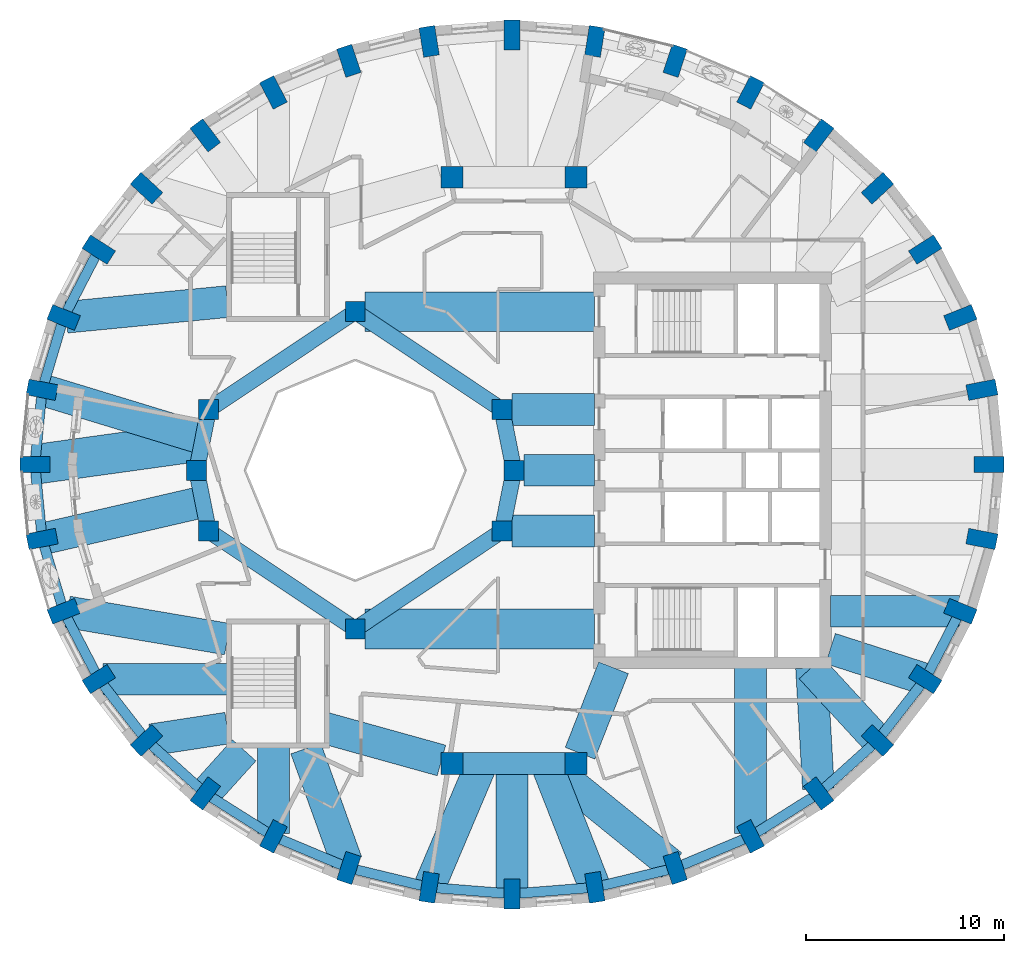
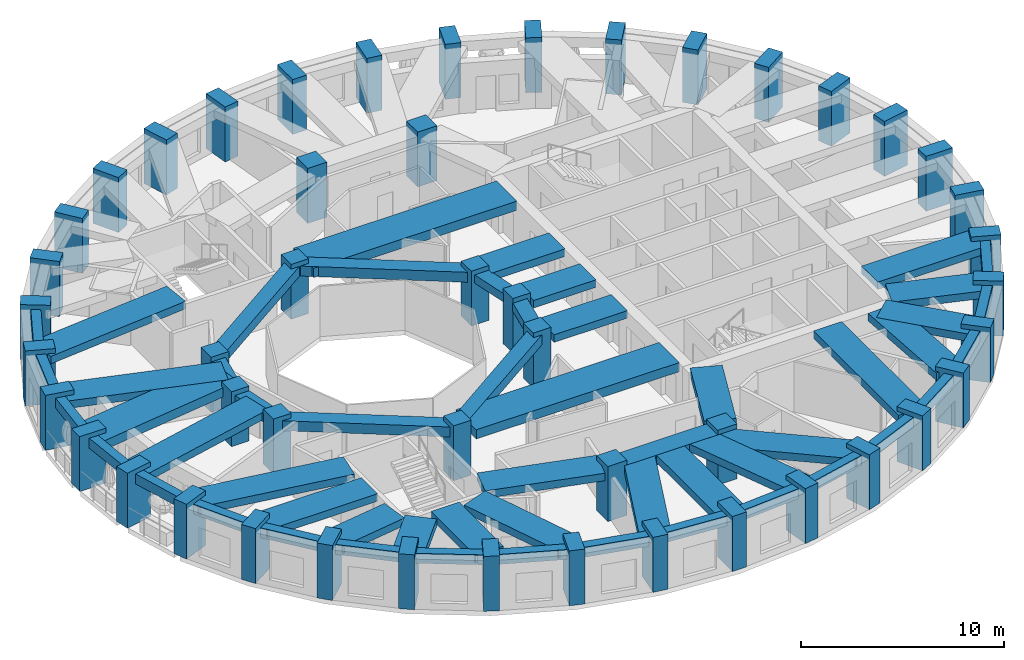
# One storey, part 1 of 12: 54 beams, 48 columns.
"""IFC4 building model written with IfcOpenShell, lengths in metres."""

from ifc_helpers import new_model, si_unit, direction, frame, origin, origin_2d, place, context, subcontext, project, spatial, rectangle, extrude, material, material_profile, profile_set, type_object, element, save


model = new_model("IFC4")

# Units and contexts
model_context = context("Model", 3, precision=1e-05, world=origin(), true_north=direction((0.0, 1.0)))
body_context = subcontext(model_context, "Body", "Model", "MODEL_VIEW")
ifc_project = project(units=[si_unit("LENGTHUNIT", "METRE"), si_unit("AREAUNIT", "SQUARE_METRE"), si_unit("VOLUMEUNIT", "CUBIC_METRE"), si_unit("PLANEANGLEUNIT", "RADIAN"), si_unit("MASSUNIT", "GRAM", prefix="KILO")], contexts=[model_context])

# Site, building, storey
site_placement = place(None, origin())
site = spatial("IfcSite", under=ifc_project, at=site_placement, CompositionType="ELEMENT")
building_placement = place(site_placement, origin())
building = spatial("IfcBuilding", under=site, at=building_placement, Name="Taillehof Tower", CompositionType="ELEMENT")
storey_placement = place(building_placement, frame((0.0, 0.0, 239.89990234375)))
storey = spatial("IfcBuildingStorey", under=building, at=storey_placement, Name="L68", CompositionType="ELEMENT", Elevation=239.89990234375)

# Columns
ifc_material_1 = material(Name="Concrete C50/60", Category="concrete")
ifc_material_profile_1 = material_profile(ifc_material_1, rectangle(XDim=1.0, YDim=1.0, at=origin_2d()), Name="RC 1000x1000")
ifc_profile_set_1 = profile_set([ifc_material_profile_1], Name="Concrete C50/60")
column_type_1 = type_object("IfcColumnType", Name="Atrium ring column C50/60 1000x1000", PredefinedType="COLUMN", material=ifc_profile_set_1)
for number, where, z_axis, x_axis, name in (
    (1, (0.0, 0.0, 0.0), (0.0, 0.0, 1.0), (1.0, 0.0, 0.0), "Column AC01"),
    (2, (-0.60888671875, 3.0615234375, 0.0), (0.0, 0.0, 1.0), (1.0, 0.0, 0.0), "Column AC02"),
    (3, (-8.0, 8.0, 0.0), (0.0, 0.0, 1.0), (1.0, 0.0, 0.0), "Column AC05"),
    (4, (-15.39111328125, 3.0615234375, 0.0), (0.0, 0.0, 1.0), (1.0, 0.0, 0.0), "Column AC08"),
    (5, (-16.0, 0.0, 0.0), (0.0, 0.0, 1.0), (1.0, 0.0, 0.0), "Column AC09"),
    (6, (-15.39111328125, -3.0615234375, 0.0), (0.0, 0.0, 1.0), (1.0, 0.0, 0.0), "Column AC10"),
    (7, (-8.0, -8.0, 0.0), (0.0, 0.0, 1.0), (1.0, 0.0, 0.0), "Column AC13"),
    (8, (-0.60888671875, -3.0615234375, 0.0), (0.0, 0.0, 1.0), (1.0, 0.0, 0.0), "Column AC16"),
):
    element("IfcColumn", number, at=place(storey_placement, frame(where, z_axis=z_axis, x_axis=x_axis)), inside=storey, type_object=column_type_1, Name=name, PredefinedType="COLUMN", context=body_context, shape_type="SweptSolid", body=[
        extrude(rectangle(XDim=1.0, YDim=1.0, at=origin_2d()), origin(), (0.0, 0.0, 1.0), 3.300048828125),
    ])
ifc_material_2 = material(Name="Concrete C50/60", Category="concrete")
ifc_material_profile_2 = material_profile(ifc_material_2, rectangle(XDim=1.10009765625, YDim=1.10009765625, at=origin_2d()), Name="RC 1100x1100")
ifc_profile_set_2 = profile_set([ifc_material_profile_2], Name="Concrete C50/60")
column_type_2 = type_object("IfcColumnType", Name="Mid-ring column C50/60 1100x1100", PredefinedType="COLUMN", material=ifc_profile_set_2)
for number, where, z_axis, x_axis, name in (
    (9, (3.125732421875, 14.772216796875, 0.0), (0.0, 0.0, 1.0), (1.0, 0.0, 0.0), "Column MC05"),
    (10, (-3.125732421875, 14.772216796875, 0.0), (0.0, 0.0, 1.0), (1.0, 0.0, 0.0), "Column MC06"),
    (11, (-3.125732421875, -14.772216796875, 0.0), (0.0, 0.0, 1.0), (1.0, 0.0, 0.0), "Column MC14"),
    (12, (3.125732421875, -14.772216796875, 0.0), (0.0, 0.0, 1.0), (1.0, 0.0, 0.0), "Column MC15"),
):
    element("IfcColumn", number, at=place(storey_placement, frame(where, z_axis=z_axis, x_axis=x_axis)), inside=storey, type_object=column_type_2, Name=name, PredefinedType="COLUMN", context=body_context, shape_type="SweptSolid", body=[
        extrude(rectangle(XDim=1.10009765625, YDim=1.10009765625, at=origin_2d()), origin(), (0.0, 0.0, 1.0), 3.300048828125),
    ])
ifc_material_3 = material(Name="Concrete C50/60", Category="concrete")
ifc_material_profile_3 = material_profile(ifc_material_3, rectangle(XDim=1.5, YDim=0.800048828125, at=origin_2d()), Name="RC 1500x800")
ifc_profile_set_3 = profile_set([ifc_material_profile_3], Name="Concrete C50/60")
column_type_3 = type_object("IfcColumnType", Name="Ring column C50/60 1500x800", PredefinedType="COLUMN", material=ifc_profile_set_3)
for number, where, z_axis, x_axis, name in (
    (13, (23.949951171875, 0.300048828125, 0.0), (0.0, 0.0, 1.0), (1.0, 0.0, 0.0), "Ring column RC01"),
    (14, (23.584716796875, 4.0595703125, 0.0), (0.0, 0.0, 1.0), (0.981472639166, 0.191602344891, 0.0), "Ring column RC02"),
    (15, (22.49951171875, 7.704833984375, 0.0), (0.0, 0.0, 1.0), (0.927524694272, 0.373761878092, 0.0), "Ring column RC03"),
    (16, (20.72802734375, 11.125, 0.0), (0.0, 0.0, 1.0), (0.842573772535, 0.538580948267, 0.0), "Ring column RC04"),
    (17, (18.323486328125, 14.21630859375, 0.0), (0.0, 0.0, 1.0), (0.73263579998, 0.680620881686, 0.0), "Ring column RC05"),
    (18, (15.359130859375, 16.884765625, 0.0), (0.0, 0.0, 1.0), (0.604020073066, 0.796969103123, 0.0), "Ring column RC06"),
    (19, (11.925048828125, 19.049560546875, 0.0), (0.0, 0.0, 1.0), (0.462383690865, 0.886679943622, 0.0), "Ring column RC07"),
    (20, (8.12548828125, 20.644287109375, 0.0), (0.0, 0.0, 1.0), (0.312304079287, 0.949982190391, 0.0), "Ring column RC08"),
    (21, (4.076171875, 21.62109375, 0.0), (0.0, 0.0, 1.0), (0.1572808136, 0.987553920388, 0.0), "Ring column RC09"),
    (22, (-0.10009765625, 21.949951171875, 0.0), (0.0, 0.0, 1.0), (0.0, 1.0, 0.0), "Ring column RC10"),
    (23, (-4.276123046875, 21.62109375, 0.0), (0.0, 0.0, 1.0), (-0.1572808136, 0.987553920388, 0.0), "Ring column RC11"),
    (24, (-8.32568359375, 20.644287109375, 0.0), (0.0, 0.0, 1.0), (-0.312304079287, 0.949982190391, 0.0), "Ring column RC12"),
    (25, (-12.125, 19.049560546875, 0.0), (0.0, 0.0, 1.0), (-0.462383690865, 0.886679943622, 0.0), "Ring column RC13"),
    (26, (-15.55908203125, 16.884765625, 0.0), (0.0, 0.0, 1.0), (-0.604020073066, 0.796969103123, 0.0), "Ring column RC14"),
    (27, (-18.5234375, 14.21630859375, 0.0), (0.0, 0.0, 1.0), (-0.73263579998, 0.680620881686, 0.0), "Ring column RC15"),
    (28, (-20.927978515625, 11.125, 0.0), (0.0, 0.0, 1.0), (-0.842573772535, 0.538580948267, 0.0), "Ring column RC16"),
    (29, (-22.69970703125, 7.704833984375, 0.0), (0.0, 0.0, 1.0), (-0.927524694272, 0.373761878092, 0.0), "Ring column RC17"),
    (30, (-23.78466796875, 4.0595703125, 0.0), (0.0, 0.0, 1.0), (-0.981472639166, 0.191602344891, 0.0), "Ring column RC18"),
    (31, (-24.14990234375, 0.300048828125, 0.0), (0.0, 0.0, 1.0), (-1.0, 0.0, 0.0), "Ring column RC19"),
    (32, (-23.78466796875, -3.45947265625, 0.0), (0.0, 0.0, 1.0), (-0.981472639166, -0.191602344891, 0.0), "Ring column RC20"),
    (33, (-22.69970703125, -7.104736328125, 0.0), (0.0, 0.0, 1.0), (-0.927524694272, -0.373761878092, 0.0), "Ring column RC21"),
    (34, (-20.927978515625, -10.52490234375, 0.0), (0.0, 0.0, 1.0), (-0.842573772535, -0.538580948267, 0.0), "Ring column RC22"),
    (35, (-18.5234375, -13.616455078125, 0.0), (0.0, 0.0, 1.0), (-0.73263579998, -0.680620881686, 0.0), "Ring column RC23"),
    (36, (-15.55908203125, -16.284912109375, 0.0), (0.0, 0.0, 1.0), (-0.604020073066, -0.796969103123, 0.0), "Ring column RC24"),
    (37, (-12.125, -18.449462890625, 0.0), (0.0, 0.0, 1.0), (-0.462383690865, -0.886679943622, 0.0), "Ring column RC25"),
    (38, (-8.32568359375, -20.04443359375, 0.0), (0.0, 0.0, 1.0), (-0.312304079287, -0.949982190391, 0.0), "Ring column RC26"),
    (39, (-4.276123046875, -21.02099609375, 0.0), (0.0, 0.0, 1.0), (-0.1572808136, -0.987553920388, 0.0), "Ring column RC27"),
    (40, (-0.10009765625, -21.35009765625, 0.0), (0.0, 0.0, 1.0), (0.0, -1.0, 0.0), "Ring column RC28"),
    (41, (4.076171875, -21.02099609375, 0.0), (0.0, 0.0, 1.0), (0.1572808136, -0.987553920388, 0.0), "Ring column RC29"),
    (42, (8.12548828125, -20.04443359375, 0.0), (0.0, 0.0, 1.0), (0.312304079287, -0.949982190391, 0.0), "Ring column RC30"),
    (43, (11.925048828125, -18.449462890625, 0.0), (0.0, 0.0, 1.0), (0.462383690865, -0.886679943622, 0.0), "Ring column RC31"),
    (44, (15.359130859375, -16.284912109375, 0.0), (0.0, 0.0, 1.0), (0.604020073066, -0.796969103123, 0.0), "Ring column RC32"),
    (45, (18.323486328125, -13.616455078125, 0.0), (0.0, 0.0, 1.0), (0.73263579998, -0.680620881686, 0.0), "Ring column RC33"),
    (46, (20.72802734375, -10.52490234375, 0.0), (0.0, 0.0, 1.0), (0.842573772535, -0.538580948267, 0.0), "Ring column RC34"),
    (47, (22.49951171875, -7.104736328125, 0.0), (0.0, 0.0, 1.0), (0.927524694272, -0.373761878092, 0.0), "Ring column RC35"),
    (48, (23.584716796875, -3.45947265625, 0.0), (0.0, 0.0, 1.0), (0.981472639166, -0.191602344891, 0.0), "Ring column RC36"),
):
    element("IfcColumn", number, at=place(storey_placement, frame(where, z_axis=z_axis, x_axis=x_axis)), inside=storey, type_object=column_type_3, Name=name, PredefinedType="COLUMN", context=body_context, shape_type="SweptSolid", body=[
        extrude(rectangle(XDim=1.5, YDim=0.800048828125, at=origin_2d()), origin(), (0.0, 0.0, 1.0), 3.300048828125),
    ])

# Beams
ifc_material_4 = material(Name="Concrete C50/60", Category="concrete")
ifc_material_profile_4 = material_profile(ifc_material_4, rectangle(XDim=0.800048828125, YDim=0.5, at=origin_2d()), Name="RC 800x500")
ifc_profile_set_4 = profile_set([ifc_material_profile_4], Name="Concrete C50/60")
beam_type_1 = type_object("IfcBeamType", Name="Atrium ring beam C50/60 800x500", PredefinedType="BEAM", material=ifc_profile_set_4)
for number, where, z_axis, x_axis, name in (
    (49, (0.0, 0.0, 2.77001953125), (-0.195063155143, 0.980790683839, 0.0), (-0.980790683839, -0.195063155143, 0.0), "Atrium ring beam AB01"),
    (50, (-15.39111328125, 3.0615234375, 2.77001953125), (-0.195063155143, -0.980790683839, 0.0), (0.980790683839, -0.195063155143, 0.0), "Atrium ring beam AB04"),
    (51, (-16.0, 0.0, 2.77001953125), (0.195063155143, -0.980790683839, 0.0), (0.980790683839, 0.195063155143, 0.0), "Atrium ring beam AB05"),
    (52, (-0.60888671875, -3.0615234375, 2.77001953125), (0.195063155143, 0.980790683839, 0.0), (-0.980790683839, 0.195063155143, 0.0), "Atrium ring beam AB08"),
):
    element("IfcBeam", number, at=place(storey_placement, frame(where, z_axis=z_axis, x_axis=x_axis)), inside=storey, type_object=beam_type_1, Name=name, PredefinedType="BEAM", context=body_context, shape_type="SweptSolid", body=[
        extrude(rectangle(XDim=0.800048828125, YDim=0.5, at=origin_2d()), origin(), (0.0, 0.0, 1.0), 3.12158203125),
    ])
ifc_material_5 = material(Name="Concrete C50/60", Category="concrete")
ifc_material_profile_5 = material_profile(ifc_material_5, rectangle(XDim=0.800048828125, YDim=0.60009765625, at=origin_2d()), Name="RC 800x600")
ifc_profile_set_5 = profile_set([ifc_material_profile_5], Name="Concrete C50/60")
beam_type_2 = type_object("IfcBeamType", Name="Atrium ring beam C50/60 800x600", PredefinedType="BEAM", material=ifc_profile_set_5)
for number, where, z_axis, x_axis, name in (
    (53, (-0.60888671875, 3.0615234375, 2.72021484375), (-0.831475195687, 0.555561876804, 0.0), (-0.555561876804, -0.831475195687, 0.0), "Atrium ring beam AB02"),
    (54, (-8.0, 8.0, 2.72021484375), (-0.831475195687, -0.555561876804, 0.0), (0.555561876804, -0.831475195687, 0.0), "Atrium ring beam AB03"),
    (55, (-15.39111328125, -3.0615234375, 2.72021484375), (0.831475195687, -0.555561876804, 0.0), (0.555561876804, 0.831475195687, 0.0), "Atrium ring beam AB06"),
    (56, (-8.0, -8.0, 2.72021484375), (0.831475195687, 0.555561876804, 0.0), (-0.555561876804, 0.831475195687, 0.0), "Atrium ring beam AB07"),
):
    element("IfcBeam", number, at=place(storey_placement, frame(where, z_axis=z_axis, x_axis=x_axis)), inside=storey, type_object=beam_type_2, Name=name, PredefinedType="BEAM", context=body_context, shape_type="SweptSolid", body=[
        extrude(rectangle(XDim=0.800048828125, YDim=0.60009765625, at=origin_2d()), origin(), (0.0, 0.0, 1.0), 8.88916015625),
    ])
ifc_material_6 = material(Name="Concrete C50/60", Category="concrete")
ifc_material_profile_6 = material_profile(ifc_material_6, rectangle(XDim=1.10009765625, YDim=0.60009765625, at=origin_2d()), Name="RC 1100x600")
ifc_profile_set_6 = profile_set([ifc_material_profile_6], Name="Concrete C50/60")
beam_type_3 = type_object("IfcBeamType", Name="Mid-ring beam C50/60 1100x600", PredefinedType="BEAM", material=ifc_profile_set_6)
beam_1_placement = place(storey_placement, frame((-3.125732421875, -14.772216796875, 2.72021484375), z_axis=(1.0, 0.0, 0.0), x_axis=(0.0, 1.0, 0.0)))
element("IfcBeam", 57, at=beam_1_placement, inside=storey, type_object=beam_type_3, Name="Mid-ring beam MB02", PredefinedType="BEAM", context=body_context, shape_type="SweptSolid", body=[
    extrude(rectangle(XDim=1.10009765625, YDim=0.60009765625, at=origin_2d()), origin(), (0.0, 0.0, 1.0), 6.25146484375),
])
ifc_material_7 = material(Name="Concrete C50/60", Category="concrete")
ifc_material_profile_7 = material_profile(ifc_material_7, rectangle(XDim=1.60009765625, YDim=0.449951171875, at=origin_2d()), Name="RC 1600x450")
ifc_profile_set_7 = profile_set([ifc_material_profile_7], Name="Concrete C50/60")
beam_type_4 = type_object("IfcBeamType", Name="Radial band beam C50/60 1600x450", PredefinedType="BEAM", material=ifc_profile_set_7)
beam_2_placement = place(storey_placement, frame((-22.564697265625, 7.7177734375, 2.795166015625), z_axis=(0.995328408647, 0.096547185049, 0.0), x_axis=(-0.096547185049, 0.995328408647, 0.0)))
element("IfcBeam", 58, at=beam_2_placement, inside=storey, type_object=beam_type_4, Name="Radial band beam RB17", PredefinedType="BEAM", context=body_context, shape_type="SweptSolid", body=[
    extrude(rectangle(XDim=1.60009765625, YDim=0.449951171875, at=origin_2d()), origin(), (0.0, 0.0, 1.0), 8.152587890625),
])
beam_3_placement = place(storey_placement, frame((-23.78466796875, 4.0595703125, 2.795166015625), z_axis=(0.956552302924, -0.291560785721, 0.0), x_axis=(0.291560785721, 0.956552302924, 0.0)))
element("IfcBeam", 59, at=beam_3_placement, inside=storey, type_object=beam_type_4, Name="Radial band beam RB18", PredefinedType="BEAM", context=body_context, shape_type="SweptSolid", body=[
    extrude(rectangle(XDim=1.60009765625, YDim=0.449951171875, at=origin_2d()), origin(), (0.0, 0.0, 1.0), 8.468994140625),
])
beam_4_placement = place(storey_placement, frame((-23.78466796875, -3.45947265625, 2.795166015625), z_axis=(0.974400103511, 0.224820902672, 0.0), x_axis=(-0.224820902672, 0.974400103511, 0.0)))
element("IfcBeam", 60, at=beam_4_placement, inside=storey, type_object=beam_type_4, Name="Radial band beam RB20", PredefinedType="BEAM", context=body_context, shape_type="SweptSolid", body=[
    extrude(rectangle(XDim=1.60009765625, YDim=0.449951171875, at=origin_2d()), origin(), (0.0, 0.0, 1.0), 8.31396484375),
])
beam_5_placement = place(storey_placement, frame((-22.502685546875, -7.13818359375, 2.795166015625), z_axis=(0.985830005482, -0.167747430059, 0.0), x_axis=(0.167747430059, 0.985830005482, 0.0)))
element("IfcBeam", 61, at=beam_5_placement, inside=storey, type_object=beam_type_4, Name="Radial band beam RB21", PredefinedType="BEAM", context=body_context, shape_type="SweptSolid", body=[
    extrude(rectangle(XDim=1.60009765625, YDim=0.449951171875, at=origin_2d()), origin(), (0.0, 0.0, 1.0), 8.167724609375),
])
beam_6_placement = place(storey_placement, frame((-20.7119140625, -10.52490234375, 2.795166015625), z_axis=(1.0, 0.0, 0.0), x_axis=(0.0, 1.0, 0.0)))
element("IfcBeam", 62, at=beam_6_placement, inside=storey, type_object=beam_type_4, Name="Radial band beam RB22", PredefinedType="BEAM", context=body_context, shape_type="SweptSolid", body=[
    extrude(rectangle(XDim=1.60009765625, YDim=0.449951171875, at=origin_2d()), origin(), (0.0, 0.0, 1.0), 6.261962890625),
])
beam_7_placement = place(storey_placement, frame((-18.283447265625, -13.57958984375, 2.795166015625), z_axis=(0.988468308682, 0.151427879634, 0.0), x_axis=(-0.151427879634, 0.988468308682, 0.0)))
element("IfcBeam", 63, at=beam_7_placement, inside=storey, type_object=beam_type_4, Name="Radial band beam RB23", PredefinedType="BEAM", context=body_context, shape_type="SweptSolid", body=[
    extrude(rectangle(XDim=1.60009765625, YDim=0.449951171875, at=origin_2d()), origin(), (0.0, 0.0, 1.0), 3.87744140625),
])
beam_8_placement = place(storey_placement, frame((-15.55908203125, -16.284912109375, 2.795166015625), z_axis=(0.669439419649, 0.742866652516, 0.0), x_axis=(-0.742866652516, 0.669439419649, 0.0)))
element("IfcBeam", 64, at=beam_8_placement, inside=storey, type_object=beam_type_4, Name="Radial band beam RB24", PredefinedType="BEAM", context=body_context, shape_type="SweptSolid", body=[
    extrude(rectangle(XDim=1.60009765625, YDim=0.449951171875, at=origin_2d()), origin(), (0.0, 0.0, 1.0), 2.926025390625),
])
beam_9_placement = place(storey_placement, frame((-12.125, -18.3154296875, 2.795166015625), z_axis=(0.0, 1.0, 0.0), x_axis=(-1.0, 0.0, 0.0)))
element("IfcBeam", 65, at=beam_9_placement, inside=storey, type_object=beam_type_4, Name="Radial band beam RB25", PredefinedType="BEAM", context=body_context, shape_type="SweptSolid", body=[
    extrude(rectangle(XDim=1.60009765625, YDim=0.449951171875, at=origin_2d()), origin(), (0.0, 0.0, 1.0), 4.365478515625),
])
beam_10_placement = place(storey_placement, frame((-8.42919921875, -19.755859375, 2.795166015625), z_axis=(-0.338515207556, 0.940960920683, 0.0), x_axis=(-0.940960920683, -0.338515207556, 0.0)))
element("IfcBeam", 66, at=beam_10_placement, inside=storey, type_object=beam_type_4, Name="Radial band beam RB26", PredefinedType="BEAM", context=body_context, shape_type="SweptSolid", body=[
    extrude(rectangle(XDim=1.60009765625, YDim=0.449951171875, at=origin_2d()), origin(), (0.0, 0.0, 1.0), 6.094970703125),
])
beam_11_placement = place(storey_placement, frame((-4.276123046875, -21.02099609375, 2.795166015625), z_axis=(0.390474101739, 0.920613912491, 0.0), x_axis=(-0.920613912491, 0.390474101739, 0.0)))
element("IfcBeam", 67, at=beam_11_placement, inside=storey, type_object=beam_type_4, Name="Radial band beam RB27", PredefinedType="BEAM", context=body_context, shape_type="SweptSolid", body=[
    extrude(rectangle(XDim=1.60009765625, YDim=0.449951171875, at=origin_2d()), origin(), (0.0, 0.0, 1.0), 6.78759765625),
])
beam_12_placement = place(storey_placement, frame((-0.10009765625, -21.35009765625, 2.795166015625), z_axis=(0.0, 1.0, 0.0), x_axis=(-1.0, 0.0, 0.0)))
element("IfcBeam", 68, at=beam_12_placement, inside=storey, type_object=beam_type_4, Name="Radial band beam RB28", PredefinedType="BEAM", context=body_context, shape_type="SweptSolid", body=[
    extrude(rectangle(XDim=1.60009765625, YDim=0.449951171875, at=origin_2d()), origin(), (0.0, 0.0, 1.0), 6.577880859375),
])
beam_13_placement = place(storey_placement, frame((4.076171875, -21.02099609375, 2.795166015625), z_axis=(-0.365079492969, 0.93097634976, 0.0), x_axis=(-0.93097634976, -0.365079492969, 0.0)))
element("IfcBeam", 69, at=beam_13_placement, inside=storey, type_object=beam_type_4, Name="Radial band beam RB29", PredefinedType="BEAM", context=body_context, shape_type="SweptSolid", body=[
    extrude(rectangle(XDim=1.60009765625, YDim=0.449951171875, at=origin_2d()), origin(), (0.0, 0.0, 1.0), 6.712158203125),
])
beam_14_placement = place(storey_placement, frame((7.9560546875, -19.90673828125, 2.795166015625), z_axis=(-0.776646099525, 0.629937168369, 0.0), x_axis=(-0.629937168369, -0.776646099525, 0.0)))
element("IfcBeam", 70, at=beam_14_placement, inside=storey, type_object=beam_type_4, Name="Radial band beam RB30", PredefinedType="BEAM", context=body_context, shape_type="SweptSolid", body=[
    extrude(rectangle(XDim=1.60009765625, YDim=0.449951171875, at=origin_2d()), origin(), (0.0, 0.0, 1.0), 8.03759765625),
])
beam_15_placement = place(storey_placement, frame((11.925048828125, -18.3154296875, 2.795166015625), z_axis=(0.0, 1.0, 0.0), x_axis=(-1.0, 0.0, 0.0)))
element("IfcBeam", 71, at=beam_15_placement, inside=storey, type_object=beam_type_4, Name="Radial band beam RB31", PredefinedType="BEAM", context=body_context, shape_type="SweptSolid", body=[
    extrude(rectangle(XDim=1.60009765625, YDim=0.449951171875, at=origin_2d()), origin(), (0.0, 0.0, 1.0), 8.365478515625),
])
beam_16_placement = place(storey_placement, frame((15.345703125, -16.050537109375, 2.795166015625), z_axis=(-0.057056617778, 0.998370944273, 0.0), x_axis=(-0.998370944273, -0.057056617778, 0.0)))
element("IfcBeam", 72, at=beam_16_placement, inside=storey, type_object=beam_type_4, Name="Radial band beam RB32", PredefinedType="BEAM", context=body_context, shape_type="SweptSolid", body=[
    extrude(rectangle(XDim=1.60009765625, YDim=0.449951171875, at=origin_2d()), origin(), (0.0, 0.0, 1.0), 6.1103515625),
])
beam_17_placement = place(storey_placement, frame((18.323486328125, -13.616455078125, 2.795166015625), z_axis=(-0.676659897365, 0.736295717289, 0.0), x_axis=(-0.736295717289, -0.676659897365, 0.0)))
element("IfcBeam", 73, at=beam_17_placement, inside=storey, type_object=beam_type_4, Name="Radial band beam RB33", PredefinedType="BEAM", context=body_context, shape_type="SweptSolid", body=[
    extrude(rectangle(XDim=1.60009765625, YDim=0.449951171875, at=origin_2d()), origin(), (0.0, 0.0, 1.0), 4.961669921875),
])
beam_18_placement = place(storey_placement, frame((20.72802734375, -10.52490234375, 2.795166015625), z_axis=(-0.951722832358, 0.306958711178, 0.0), x_axis=(-0.306958711178, -0.951722832358, 0.0)))
element("IfcBeam", 74, at=beam_18_placement, inside=storey, type_object=beam_type_4, Name="Radial band beam RB34", PredefinedType="BEAM", context=body_context, shape_type="SweptSolid", body=[
    extrude(rectangle(XDim=1.60009765625, YDim=0.449951171875, at=origin_2d()), origin(), (0.0, 0.0, 1.0), 5.017822265625),
])
beam_19_placement = place(storey_placement, frame((22.44580078125, -7.104736328125, 2.795166015625), z_axis=(-1.0, 0.0, 0.0), x_axis=(0.0, -1.0, 0.0)))
element("IfcBeam", 75, at=beam_19_placement, inside=storey, type_object=beam_type_4, Name="Radial band beam RB35", PredefinedType="BEAM", context=body_context, shape_type="SweptSolid", body=[
    extrude(rectangle(XDim=1.60009765625, YDim=0.449951171875, at=origin_2d()), origin(), (0.0, 0.0, 1.0), 6.495849609375),
])
beam_20_placement = place(storey_placement, frame((0.5, 0.0, 2.795166015625), z_axis=(1.0, 0.0, 0.0), x_axis=(0.0, 1.0, 0.0)))
element("IfcBeam", 76, at=beam_20_placement, inside=storey, type_object=beam_type_4, Name="Inner band beam IB101", PredefinedType="BEAM", context=body_context, shape_type="SweptSolid", body=[
    extrude(rectangle(XDim=1.60009765625, YDim=0.449951171875, at=origin_2d()), origin(), (0.0, 0.0, 1.0), 3.550048828125),
])
for number, where, z_axis, x_axis, name in (
    (77, (-0.10888671875, 3.0615234375, 2.795166015625), (1.0, 0.0, 0.0), (0.0, 1.0, 0.0), "Inner band beam IB102"),
    (78, (-0.10888671875, -3.0615234375, 2.795166015625), (1.0, 0.0, 0.0), (0.0, 1.0, 0.0), "Inner band beam IB116"),
):
    element("IfcBeam", number, at=place(storey_placement, frame(where, z_axis=z_axis, x_axis=x_axis)), inside=storey, type_object=beam_type_4, Name=name, PredefinedType="BEAM", context=body_context, shape_type="SweptSolid", body=[
        extrude(rectangle(XDim=1.60009765625, YDim=0.449951171875, at=origin_2d()), origin(), (0.0, 0.0, 1.0), 4.158935546875),
    ])
beam_21_placement = place(storey_placement, frame((-3.655517578125, -14.624755859375, 2.795166015625), z_axis=(-0.963459369536, 0.267854518821, 0.0), x_axis=(-0.267854518821, -0.963459369536, 0.0)))
element("IfcBeam", 79, at=beam_21_placement, inside=storey, type_object=beam_type_4, Name="Inner band beam IB214", PredefinedType="BEAM", context=body_context, shape_type="SweptSolid", body=[
    extrude(rectangle(XDim=1.60009765625, YDim=0.449951171875, at=origin_2d()), origin(), (0.0, 0.0, 1.0), 6.096923828125),
])
beam_22_placement = place(storey_placement, frame((3.32666015625, -14.26025390625, 2.795166015625), z_axis=(0.365588707223, 0.930776502255, 0.0), x_axis=(-0.930776502255, 0.365588707223, 0.0)))
element("IfcBeam", 80, at=beam_22_placement, inside=storey, type_object=beam_type_4, Name="Inner band beam IB215", PredefinedType="BEAM", context=body_context, shape_type="SweptSolid", body=[
    extrude(rectangle(XDim=1.60009765625, YDim=0.449951171875, at=origin_2d()), origin(), (0.0, 0.0, 1.0), 4.627197265625),
])
ifc_material_8 = material(Name="Concrete C50/60", Category="concrete")
ifc_material_profile_8 = material_profile(ifc_material_8, rectangle(XDim=2.0, YDim=0.550048828125, at=origin_2d()), Name="RC 2000x550")
ifc_profile_set_8 = profile_set([ifc_material_profile_8], Name="Concrete C50/60")
beam_type_5 = type_object("IfcBeamType", Name="Radial band beam C50/60 2000x550", PredefinedType="BEAM", material=ifc_profile_set_8)
beam_23_placement = place(storey_placement, frame((-24.14990234375, 0.300048828125, 2.7451171875), z_axis=(0.990515351696, 0.137402103528, 0.0), x_axis=(-0.137402103528, 0.990515351696, 0.0)))
element("IfcBeam", 81, at=beam_23_placement, inside=storey, type_object=beam_type_5, Name="Radial band beam RB19", PredefinedType="BEAM", context=body_context, shape_type="SweptSolid", body=[
    extrude(rectangle(XDim=2.0, YDim=0.550048828125, at=origin_2d()), origin(), (0.0, 0.0, 1.0), 8.5234375),
])
for number, where, z_axis, x_axis, name in (
    (82, (-7.5, 8.0, 2.7451171875), (1.0, 0.0, 0.0), (0.0, 1.0, 0.0), "Inner band beam IB105"),
    (83, (-7.5, -8.0, 2.7451171875), (1.0, 0.0, 0.0), (0.0, 1.0, 0.0), "Inner band beam IB113"),
):
    element("IfcBeam", number, at=place(storey_placement, frame(where, z_axis=z_axis, x_axis=x_axis)), inside=storey, type_object=beam_type_5, Name=name, PredefinedType="BEAM", context=body_context, shape_type="SweptSolid", body=[
        extrude(rectangle(XDim=2.0, YDim=0.550048828125, at=origin_2d()), origin(), (0.0, 0.0, 1.0), 11.550048828125),
    ])
ifc_material_9 = material(Name="Concrete C50/60", Category="concrete")
ifc_material_profile_9 = material_profile(ifc_material_9, rectangle(XDim=0.5, YDim=0.60009765625, at=origin_2d()), Name="RC 500x600")
ifc_profile_set_9 = profile_set([ifc_material_profile_9], Name="Concrete C50/60")
beam_type_6 = type_object("IfcBeamType", Name="Spandrel beam C50/60 500x600", PredefinedType="SPANDREL", material=ifc_profile_set_9)
beam_24_placement = place(storey_placement, frame((-20.927978515625, 11.125, 2.72021484375), z_axis=(-0.459971160554, -0.88793385534, 0.0), x_axis=(0.88793385534, -0.459971160554, 0.0)))
element("IfcBeam", 84, at=beam_24_placement, inside=storey, type_object=beam_type_6, Name="Spandrel beam SB16", PredefinedType="SPANDREL", context=body_context, shape_type="SweptSolid", body=[
    extrude(rectangle(XDim=0.5, YDim=0.60009765625, at=origin_2d()), origin(), (0.0, 0.0, 1.0), 3.851806640625),
])
beam_25_placement = place(storey_placement, frame((-22.69970703125, 7.704833984375, 2.72021484375), z_axis=(-0.285268336874, -0.958447690788, 0.0), x_axis=(0.958447690788, -0.285268336874, 0.0)))
element("IfcBeam", 85, at=beam_25_placement, inside=storey, type_object=beam_type_6, Name="Spandrel beam SB17", PredefinedType="SPANDREL", context=body_context, shape_type="SweptSolid", body=[
    extrude(rectangle(XDim=0.5, YDim=0.60009765625, at=origin_2d()), origin(), (0.0, 0.0, 1.0), 3.80322265625),
])
for number, where, z_axis, x_axis, name in (
    (86, (-23.78466796875, 4.0595703125, 2.72021484375), (-0.096693940319, -0.995314162416, 0.0), (0.995314162416, -0.096693940319, 0.0), "Spandrel beam SB18"),
    (87, (-24.14990234375, 0.300048828125, 2.72021484375), (0.096693940319, -0.995314162416, 0.0), (0.995314162416, 0.096693940319, 0.0), "Spandrel beam SB19"),
):
    element("IfcBeam", number, at=place(storey_placement, frame(where, z_axis=z_axis, x_axis=x_axis)), inside=storey, type_object=beam_type_6, Name=name, PredefinedType="SPANDREL", context=body_context, shape_type="SweptSolid", body=[
        extrude(rectangle(XDim=0.5, YDim=0.60009765625, at=origin_2d()), origin(), (0.0, 0.0, 1.0), 3.777099609375),
    ])
beam_26_placement = place(storey_placement, frame((-23.78466796875, -3.45947265625, 2.72021484375), z_axis=(0.285268336874, -0.958447690788, 0.0), x_axis=(0.958447690788, 0.285268336874, 0.0)))
element("IfcBeam", 88, at=beam_26_placement, inside=storey, type_object=beam_type_6, Name="Spandrel beam SB20", PredefinedType="SPANDREL", context=body_context, shape_type="SweptSolid", body=[
    extrude(rectangle(XDim=0.5, YDim=0.60009765625, at=origin_2d()), origin(), (0.0, 0.0, 1.0), 3.80322265625),
])
beam_27_placement = place(storey_placement, frame((-22.69970703125, -7.104736328125, 2.72021484375), z_axis=(0.459971160554, -0.88793385534, 0.0), x_axis=(0.88793385534, 0.459971160554, 0.0)))
element("IfcBeam", 89, at=beam_27_placement, inside=storey, type_object=beam_type_6, Name="Spandrel beam SB21", PredefinedType="SPANDREL", context=body_context, shape_type="SweptSolid", body=[
    extrude(rectangle(XDim=0.5, YDim=0.60009765625, at=origin_2d()), origin(), (0.0, 0.0, 1.0), 3.851806640625),
])
beam_28_placement = place(storey_placement, frame((-20.927978515625, -10.52490234375, 2.72021484375), z_axis=(0.613940613515, -0.789352217376, 0.0), x_axis=(0.789352217376, 0.613940613515, 0.0)))
element("IfcBeam", 90, at=beam_28_placement, inside=storey, type_object=beam_type_6, Name="Spandrel beam SB22", PredefinedType="SPANDREL", context=body_context, shape_type="SweptSolid", body=[
    extrude(rectangle(XDim=0.5, YDim=0.60009765625, at=origin_2d()), origin(), (0.0, 0.0, 1.0), 3.91650390625),
])
beam_29_placement = place(storey_placement, frame((-18.5234375, -13.616455078125, 2.72021484375), z_axis=(0.743227182134, -0.669039128704, 0.0), x_axis=(0.669039128704, 0.743227182134, 0.0)))
element("IfcBeam", 91, at=beam_29_placement, inside=storey, type_object=beam_type_6, Name="Spandrel beam SB23", PredefinedType="SPANDREL", context=body_context, shape_type="SweptSolid", body=[
    extrude(rectangle(XDim=0.5, YDim=0.60009765625, at=origin_2d()), origin(), (0.0, 0.0, 1.0), 3.988525390625),
])
beam_30_placement = place(storey_placement, frame((-15.55908203125, -16.284912109375, 2.72021484375), z_axis=(0.845971606716, -0.533227944344, 0.0), x_axis=(0.533227944344, 0.845971606716, 0.0)))
element("IfcBeam", 92, at=beam_30_placement, inside=storey, type_object=beam_type_6, Name="Spandrel beam SB24", PredefinedType="SPANDREL", context=body_context, shape_type="SweptSolid", body=[
    extrude(rectangle(XDim=0.5, YDim=0.60009765625, at=origin_2d()), origin(), (0.0, 0.0, 1.0), 4.059326171875),
])
beam_31_placement = place(storey_placement, frame((-12.125, -18.449462890625, 2.72021484375), z_axis=(0.922046399446, -0.387079368178, 0.0), x_axis=(0.387079368178, 0.922046399446, 0.0)))
element("IfcBeam", 93, at=beam_31_placement, inside=storey, type_object=beam_type_6, Name="Spandrel beam SB25", PredefinedType="SPANDREL", context=body_context, shape_type="SweptSolid", body=[
    extrude(rectangle(XDim=0.5, YDim=0.60009765625, at=origin_2d()), origin(), (0.0, 0.0, 1.0), 4.12060546875),
])
beam_32_placement = place(storey_placement, frame((-8.32568359375, -20.04443359375, 2.72021484375), z_axis=(0.972132431202, -0.234432370218, 0.0), x_axis=(0.234432370218, 0.972132431202, 0.0)))
element("IfcBeam", 94, at=beam_32_placement, inside=storey, type_object=beam_type_6, Name="Spandrel beam SB26", PredefinedType="SPANDREL", context=body_context, shape_type="SweptSolid", body=[
    extrude(rectangle(XDim=0.5, YDim=0.60009765625, at=origin_2d()), origin(), (0.0, 0.0, 1.0), 4.16552734375),
])
beam_33_placement = place(storey_placement, frame((-4.276123046875, -21.02099609375, 2.72021484375), z_axis=(0.996909089392, -0.078563779743, 0.0), x_axis=(0.078563779743, 0.996909089392, 0.0)))
element("IfcBeam", 95, at=beam_33_placement, inside=storey, type_object=beam_type_6, Name="Spandrel beam SB27", PredefinedType="SPANDREL", context=body_context, shape_type="SweptSolid", body=[
    extrude(rectangle(XDim=0.5, YDim=0.60009765625, at=origin_2d()), origin(), (0.0, 0.0, 1.0), 4.18896484375),
])
beam_34_placement = place(storey_placement, frame((-0.10009765625, -21.35009765625, 2.72021484375), z_axis=(0.996909449091, 0.078559215326, 0.0), x_axis=(-0.078559215326, 0.996909449091, 0.0)))
element("IfcBeam", 96, at=beam_34_placement, inside=storey, type_object=beam_type_6, Name="Spandrel beam SB28", PredefinedType="SPANDREL", context=body_context, shape_type="SweptSolid", body=[
    extrude(rectangle(XDim=0.5, YDim=0.60009765625, at=origin_2d()), origin(), (0.0, 0.0, 1.0), 4.189208984375),
])
beam_35_placement = place(storey_placement, frame((4.076171875, -21.02099609375, 2.72021484375), z_axis=(0.972129209911, 0.234445727701, 0.0), x_axis=(-0.234445727701, 0.972129209911, 0.0)))
element("IfcBeam", 97, at=beam_35_placement, inside=storey, type_object=beam_type_6, Name="Spandrel beam SB29", PredefinedType="SPANDREL", context=body_context, shape_type="SweptSolid", body=[
    extrude(rectangle(XDim=0.5, YDim=0.60009765625, at=origin_2d()), origin(), (0.0, 0.0, 1.0), 4.16552734375),
])
beam_36_placement = place(storey_placement, frame((8.12548828125, -20.04443359375, 2.72021484375), z_axis=(0.922055276152, 0.38705822265, 0.0), x_axis=(-0.38705822265, 0.922055276152, 0.0)))
element("IfcBeam", 98, at=beam_36_placement, inside=storey, type_object=beam_type_6, Name="Spandrel beam SB30", PredefinedType="SPANDREL", context=body_context, shape_type="SweptSolid", body=[
    extrude(rectangle(XDim=0.5, YDim=0.60009765625, at=origin_2d()), origin(), (0.0, 0.0, 1.0), 4.120849609375),
])
beam_37_placement = place(storey_placement, frame((11.925048828125, -18.449462890625, 2.72021484375), z_axis=(0.845971606716, 0.533227944344, 0.0), x_axis=(-0.533227944344, 0.845971606716, 0.0)))
element("IfcBeam", 99, at=beam_37_placement, inside=storey, type_object=beam_type_6, Name="Spandrel beam SB31", PredefinedType="SPANDREL", context=body_context, shape_type="SweptSolid", body=[
    extrude(rectangle(XDim=0.5, YDim=0.60009765625, at=origin_2d()), origin(), (0.0, 0.0, 1.0), 4.059326171875),
])
beam_38_placement = place(storey_placement, frame((15.359130859375, -16.284912109375, 2.72021484375), z_axis=(0.743227182134, 0.669039128704, 0.0), x_axis=(-0.669039128704, 0.743227182134, 0.0)))
element("IfcBeam", 100, at=beam_38_placement, inside=storey, type_object=beam_type_6, Name="Spandrel beam SB32", PredefinedType="SPANDREL", context=body_context, shape_type="SweptSolid", body=[
    extrude(rectangle(XDim=0.5, YDim=0.60009765625, at=origin_2d()), origin(), (0.0, 0.0, 1.0), 3.988525390625),
])
beam_39_placement = place(storey_placement, frame((18.323486328125, -13.616455078125, 2.72021484375), z_axis=(0.613940613515, 0.789352217376, 0.0), x_axis=(-0.789352217376, 0.613940613515, 0.0)))
element("IfcBeam", 101, at=beam_39_placement, inside=storey, type_object=beam_type_6, Name="Spandrel beam SB33", PredefinedType="SPANDREL", context=body_context, shape_type="SweptSolid", body=[
    extrude(rectangle(XDim=0.5, YDim=0.60009765625, at=origin_2d()), origin(), (0.0, 0.0, 1.0), 3.91650390625),
])
beam_40_placement = place(storey_placement, frame((20.72802734375, -10.52490234375, 2.72021484375), z_axis=(0.45992118545, 0.887959741865, 0.0), x_axis=(-0.887959741865, 0.45992118545, 0.0)))
element("IfcBeam", 102, at=beam_40_placement, inside=storey, type_object=beam_type_6, Name="Spandrel beam SB34", PredefinedType="SPANDREL", context=body_context, shape_type="SweptSolid", body=[
    extrude(rectangle(XDim=0.5, YDim=0.60009765625, at=origin_2d()), origin(), (0.0, 0.0, 1.0), 3.851806640625),
])

save(model, "model.ifc")
